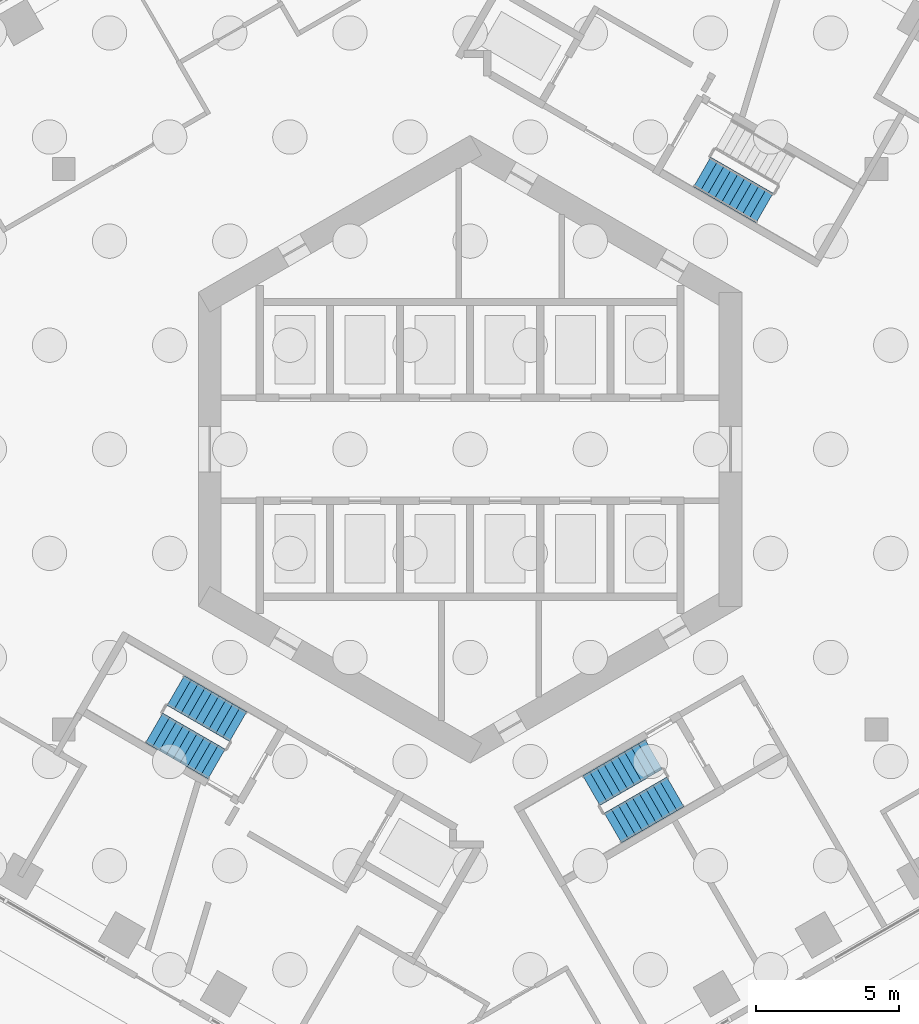
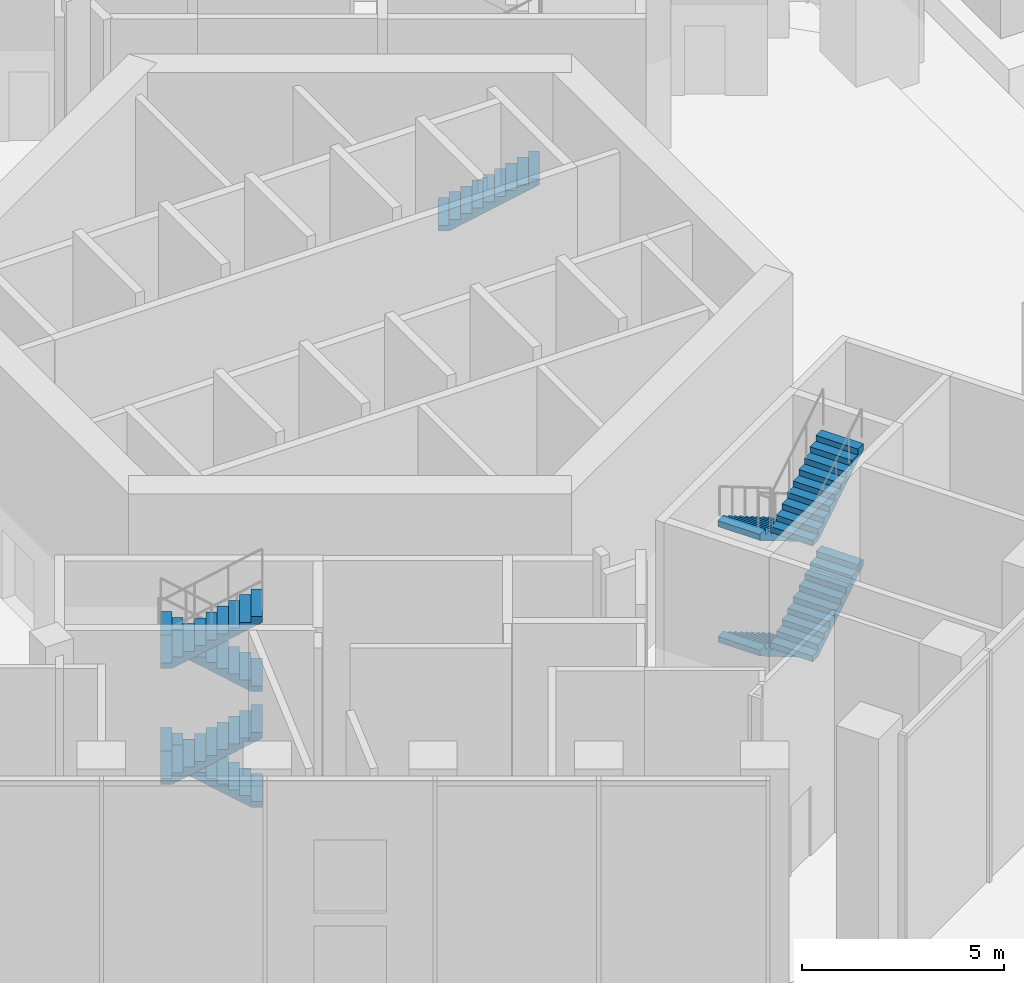
# One storey, part 13 of 18: 9 stair flights, 3 elements without a shape of their own.
"""IFC4 building model written with IfcOpenShell, lengths in metres."""

from ifc_helpers import new_model, si_unit, direction, frame, origin, place, context, subcontext, project, spatial, triangles, material, type_object, element, aggregate, save


model = new_model("IFC4")

# Units and contexts
model_context = context("Model", 3, precision=1e-05, world=origin(), true_north=direction((0.0, 1.0)))
body_context = subcontext(model_context, "Body", "Model", "MODEL_VIEW")
ifc_project = project(units=[si_unit("LENGTHUNIT", "METRE"), si_unit("AREAUNIT", "SQUARE_METRE"), si_unit("VOLUMEUNIT", "CUBIC_METRE"), si_unit("PLANEANGLEUNIT", "RADIAN"), si_unit("MASSUNIT", "GRAM", prefix="KILO")], contexts=[model_context])

# Site, building, storey
site_placement = place(None, origin())
site = spatial("IfcSite", under=ifc_project, at=site_placement, CompositionType="ELEMENT")
building_placement = place(site_placement, origin())
building = spatial("IfcBuilding", under=site, at=building_placement, Name="Ayvan Gate Tower", CompositionType="ELEMENT")
storey_placement = place(building_placement, origin())
storey = spatial("IfcBuildingStorey", under=building, at=storey_placement, Name="L00", CompositionType="ELEMENT", Elevation=0.0)

# Stair, stair flight
ifc_material = material(Name="Concrete C40/50", Category="concrete")
stair_type = type_object("IfcStairType", Name="ST-EXIT", PredefinedType="HALF_TURN_STAIR", material=ifc_material)
stair_1_placement = place(storey_placement, origin())
stair_1 = element("IfcStair", 1, at=stair_1_placement, inside=storey, type_object=stair_type, Name="L00 Exit Stair S1", PredefinedType="HALF_TURN_STAIR")
stair_flight_type = type_object("IfcStairFlightType", Name="SFL-EXIT", PredefinedType="STRAIGHT", material=ifc_material)
stair_flight_1_placement = place(storey_placement, frame((8.106201171875, 9.690185546875, 0.0), z_axis=(0.0, 0.0, 1.0), x_axis=(0.866025403784, -0.5, 0.0)))
stair_flight_1 = element("IfcStairFlight", 2, at=stair_flight_1_placement, type_object=stair_flight_type, Name="STS1 flight 1", NumberOfRisers=10, NumberOfTreads=9, PredefinedType="STRAIGHT", RiserHeight=0.175, TreadLength=0.28, context=body_context, shape_type="Tessellation", body=[
    triangles([(0.282835, -0.599976, 0.0), (2.5205, -0.599976, 1.398541), (2.5205, -0.599976, 1.575), (2.24, -0.599976, 1.575), (2.24, -0.599976, 1.4), (1.96, -0.599976, 1.4), (1.96, -0.599976, 1.225), (1.68, -0.599976, 1.225), (1.68, -0.599976, 1.05), (1.4, -0.599976, 1.05), (1.4, -0.599976, 0.875), (1.12, -0.599976, 0.875), (1.12, -0.599976, 0.7), (0.84, -0.599976, 0.7), (0.84, -0.599976, 0.525), (0.56, -0.599976, 0.525), (0.56, -0.599976, 0.35), (0.28, -0.599976, 0.35), (0.28, -0.599976, 0.175), (-0.0005, -0.599976, 0.175), (-0.0005, -0.599976, 0.0), (0.282835, 0.0, 0.0), (2.5205, 0.0, 1.398541), (2.5205, 0.0, 1.575), (2.24, 0.0, 1.575), (2.24, 0.0, 1.4), (1.96, 0.0, 1.4), (1.96, 0.0, 1.225), (1.68, 0.0, 1.225), (1.68, 0.0, 1.05), (1.4, 0.0, 1.05), (1.4, 0.0, 0.875), (1.12, 0.0, 0.875), (1.12, 0.0, 0.7), (0.84, 0.0, 0.7), (0.84, 0.0, 0.525), (0.56, 0.0, 0.525), (0.56, 0.0, 0.35), (0.28, 0.0, 0.35), (0.28, 0.0, 0.175), (-0.0005, 0.0, 0.175), (-0.0005, 0.0, 0.0), (0.282835, 0.599976, 0.0), (2.5205, 0.599976, 1.398541), (2.5205, 0.599976, 1.575), (2.24, 0.599976, 1.575), (2.24, 0.599976, 1.4), (1.96, 0.599976, 1.4), (1.96, 0.599976, 1.225), (1.68, 0.599976, 1.225), (1.68, 0.599976, 1.05), (1.4, 0.599976, 1.05), (1.4, 0.599976, 0.875), (1.12, 0.599976, 0.875), (1.12, 0.599976, 0.7), (0.84, 0.599976, 0.7), (0.84, 0.599976, 0.525), (0.56, 0.599976, 0.525), (0.56, 0.599976, 0.35), (0.28, 0.599976, 0.35), (0.28, 0.599976, 0.175), (-0.0005, 0.599976, 0.175), (-0.0005, 0.599976, 0.0)], [[21, 1, 2], [63, 44, 43], [2, 3, 4], [44, 46, 45], [2, 4, 5], [44, 47, 46], [2, 5, 6], [44, 48, 47], [2, 6, 7], [44, 49, 48], [7, 8, 9], [49, 51, 50], [2, 7, 9], [44, 51, 49], [9, 10, 11], [51, 53, 52], [2, 9, 11], [44, 53, 51], [11, 12, 13], [53, 55, 54], [2, 11, 13], [44, 55, 53], [13, 14, 15], [55, 57, 56], [2, 13, 15], [44, 57, 55], [15, 16, 17], [57, 59, 58], [2, 15, 17], [44, 59, 57], [17, 18, 19], [59, 61, 60], [2, 17, 19], [44, 61, 59], [21, 2, 19], [63, 61, 44], [19, 20, 21], [61, 63, 62], [1, 22, 23], [1, 23, 2], [43, 23, 22], [43, 44, 23], [2, 23, 24], [2, 24, 3], [44, 24, 23], [44, 45, 24], [3, 24, 25], [3, 25, 4], [45, 25, 24], [45, 46, 25], [4, 25, 26], [4, 26, 5], [46, 26, 25], [46, 47, 26], [5, 26, 27], [5, 27, 6], [47, 27, 26], [47, 48, 27], [6, 27, 28], [6, 28, 7], [48, 28, 27], [48, 49, 28], [7, 28, 29], [7, 29, 8], [49, 29, 28], [49, 50, 29], [8, 29, 30], [8, 30, 9], [50, 30, 29], [50, 51, 30], [9, 30, 31], [9, 31, 10], [51, 31, 30], [51, 52, 31], [10, 31, 32], [10, 32, 11], [52, 32, 31], [52, 53, 32], [11, 32, 33], [11, 33, 12], [53, 33, 32], [53, 54, 33], [12, 33, 34], [12, 34, 13], [54, 34, 33], [54, 55, 34], [13, 34, 35], [13, 35, 14], [55, 35, 34], [55, 56, 35], [14, 35, 36], [14, 36, 15], [56, 36, 35], [56, 57, 36], [15, 36, 37], [15, 37, 16], [57, 37, 36], [57, 58, 37], [16, 37, 38], [16, 38, 17], [58, 38, 37], [58, 59, 38], [17, 38, 39], [17, 39, 18], [59, 39, 38], [59, 60, 39], [18, 39, 40], [18, 40, 19], [60, 40, 39], [60, 61, 40], [19, 40, 41], [19, 41, 20], [61, 41, 40], [61, 62, 41], [20, 41, 42], [20, 42, 21], [62, 42, 41], [62, 63, 42], [21, 42, 22], [21, 22, 1], [63, 22, 42], [63, 43, 22]], closed=True),
])
aggregate(stair_1, [stair_flight_1])

# Stair, stair flights
stair_2_placement = place(storey_placement, origin())
stair_2 = element("IfcStair", 3, at=stair_2_placement, inside=storey, type_object=stair_type, Name="L00 Exit Stair S2", PredefinedType="HALF_TURN_STAIR")
stair_flight_2_placement = place(storey_placement, frame((-8.106201171875, -9.690185546875, 0.0), z_axis=(0.0, 0.0, 1.0), x_axis=(-0.866025403784, 0.5, 0.0)))
stair_flight_2 = element("IfcStairFlight", 4, at=stair_flight_2_placement, type_object=stair_flight_type, Name="STS2 flight 1", NumberOfRisers=10, NumberOfTreads=9, PredefinedType="STRAIGHT", RiserHeight=0.175, TreadLength=0.28, context=body_context, shape_type="Tessellation", body=[
    triangles([(0.282835, -0.599976, 0.0), (2.5205, -0.599976, 1.398541), (2.5205, -0.599976, 1.575), (2.24, -0.599976, 1.575), (2.24, -0.599976, 1.4), (1.96, -0.599976, 1.4), (1.96, -0.599976, 1.225), (1.68, -0.599976, 1.225), (1.68, -0.599976, 1.05), (1.4, -0.599976, 1.05), (1.4, -0.599976, 0.875), (1.12, -0.599976, 0.875), (1.12, -0.599976, 0.7), (0.84, -0.599976, 0.7), (0.84, -0.599976, 0.525), (0.56, -0.599976, 0.525), (0.56, -0.599976, 0.35), (0.28, -0.599976, 0.35), (0.28, -0.599976, 0.175), (-0.0005, -0.599976, 0.175), (-0.0005, -0.599976, 0.0), (0.282835, 0.0, 0.0), (2.5205, 0.0, 1.398541), (2.5205, 0.0, 1.575), (2.24, 0.0, 1.575), (2.24, 0.0, 1.4), (1.96, 0.0, 1.4), (1.96, 0.0, 1.225), (1.68, 0.0, 1.225), (1.68, 0.0, 1.05), (1.4, 0.0, 1.05), (1.4, 0.0, 0.875), (1.12, 0.0, 0.875), (1.12, 0.0, 0.7), (0.84, 0.0, 0.7), (0.84, 0.0, 0.525), (0.56, 0.0, 0.525), (0.56, 0.0, 0.35), (0.28, 0.0, 0.35), (0.28, 0.0, 0.175), (-0.0005, 0.0, 0.175), (-0.0005, 0.0, 0.0), (0.282835, 0.599976, 0.0), (2.5205, 0.599976, 1.398541), (2.5205, 0.599976, 1.575), (2.24, 0.599976, 1.575), (2.24, 0.599976, 1.4), (1.96, 0.599976, 1.4), (1.96, 0.599976, 1.225), (1.68, 0.599976, 1.225), (1.68, 0.599976, 1.05), (1.4, 0.599976, 1.05), (1.4, 0.599976, 0.875), (1.12, 0.599976, 0.875), (1.12, 0.599976, 0.7), (0.84, 0.599976, 0.7), (0.84, 0.599976, 0.525), (0.56, 0.599976, 0.525), (0.56, 0.599976, 0.35), (0.28, 0.599976, 0.35), (0.28, 0.599976, 0.175), (-0.0005, 0.599976, 0.175), (-0.0005, 0.599976, 0.0)], [[21, 1, 2], [63, 44, 43], [2, 3, 4], [44, 46, 45], [2, 4, 5], [44, 47, 46], [2, 5, 6], [44, 48, 47], [2, 6, 7], [44, 49, 48], [7, 8, 9], [49, 51, 50], [2, 7, 9], [44, 51, 49], [9, 10, 11], [51, 53, 52], [2, 9, 11], [44, 53, 51], [11, 12, 13], [53, 55, 54], [2, 11, 13], [44, 55, 53], [13, 14, 15], [55, 57, 56], [2, 13, 15], [44, 57, 55], [15, 16, 17], [57, 59, 58], [2, 15, 17], [44, 59, 57], [17, 18, 19], [59, 61, 60], [2, 17, 19], [44, 61, 59], [21, 2, 19], [63, 61, 44], [19, 20, 21], [61, 63, 62], [1, 22, 23], [1, 23, 2], [43, 23, 22], [43, 44, 23], [2, 23, 24], [2, 24, 3], [44, 24, 23], [44, 45, 24], [3, 24, 25], [3, 25, 4], [45, 25, 24], [45, 46, 25], [4, 25, 26], [4, 26, 5], [46, 26, 25], [46, 47, 26], [5, 26, 27], [5, 27, 6], [47, 27, 26], [47, 48, 27], [6, 27, 28], [6, 28, 7], [48, 28, 27], [48, 49, 28], [7, 28, 29], [7, 29, 8], [49, 29, 28], [49, 50, 29], [8, 29, 30], [8, 30, 9], [50, 30, 29], [50, 51, 30], [9, 30, 31], [9, 31, 10], [51, 31, 30], [51, 52, 31], [10, 31, 32], [10, 32, 11], [52, 32, 31], [52, 53, 32], [11, 32, 33], [11, 33, 12], [53, 33, 32], [53, 54, 33], [12, 33, 34], [12, 34, 13], [54, 34, 33], [54, 55, 34], [13, 34, 35], [13, 35, 14], [55, 35, 34], [55, 56, 35], [14, 35, 36], [14, 36, 15], [56, 36, 35], [56, 57, 36], [15, 36, 37], [15, 37, 16], [57, 37, 36], [57, 58, 37], [16, 37, 38], [16, 38, 17], [58, 38, 37], [58, 59, 38], [17, 38, 39], [17, 39, 18], [59, 39, 38], [59, 60, 39], [18, 39, 40], [18, 40, 19], [60, 40, 39], [60, 61, 40], [19, 40, 41], [19, 41, 20], [61, 41, 40], [61, 62, 41], [20, 41, 42], [20, 42, 21], [62, 42, 41], [62, 63, 42], [21, 42, 22], [21, 22, 1], [63, 22, 42], [63, 43, 22]], closed=True),
])
stair_flight_3_placement = place(storey_placement, frame((-11.04345703125, -9.73779296875, 1.75), z_axis=(0.0, 0.0, 1.0), x_axis=(0.866025403784, -0.5, 0.0)))
stair_flight_3 = element("IfcStairFlight", 5, at=stair_flight_3_placement, type_object=stair_flight_type, Name="STS2 flight 2", NumberOfRisers=10, NumberOfTreads=9, PredefinedType="STRAIGHT", RiserHeight=0.175, TreadLength=0.28, context=body_context, shape_type="Tessellation", body=[
    triangles([(0.282835, -0.599976, 0.0), (2.5205, -0.599976, 1.398541), (2.5205, -0.599976, 1.575), (2.24, -0.599976, 1.575), (2.24, -0.599976, 1.4), (1.96, -0.599976, 1.4), (1.96, -0.599976, 1.225), (1.68, -0.599976, 1.225), (1.68, -0.599976, 1.05), (1.4, -0.599976, 1.05), (1.4, -0.599976, 0.875), (1.12, -0.599976, 0.875), (1.12, -0.599976, 0.7), (0.84, -0.599976, 0.7), (0.84, -0.599976, 0.525), (0.56, -0.599976, 0.525), (0.56, -0.599976, 0.35), (0.28, -0.599976, 0.35), (0.28, -0.599976, 0.175), (-0.0005, -0.599976, 0.175), (-0.0005, -0.599976, 0.0), (0.282835, 0.0, 0.0), (2.5205, 0.0, 1.398541), (2.5205, 0.0, 1.575), (2.24, 0.0, 1.575), (2.24, 0.0, 1.4), (1.96, 0.0, 1.4), (1.96, 0.0, 1.225), (1.68, 0.0, 1.225), (1.68, 0.0, 1.05), (1.4, 0.0, 1.05), (1.4, 0.0, 0.875), (1.12, 0.0, 0.875), (1.12, 0.0, 0.7), (0.84, 0.0, 0.7), (0.84, 0.0, 0.525), (0.56, 0.0, 0.525), (0.56, 0.0, 0.35), (0.28, 0.0, 0.35), (0.28, 0.0, 0.175), (-0.0005, 0.0, 0.175), (-0.0005, 0.0, 0.0), (0.282835, 0.599976, 0.0), (2.5205, 0.599976, 1.398541), (2.5205, 0.599976, 1.575), (2.24, 0.599976, 1.575), (2.24, 0.599976, 1.4), (1.96, 0.599976, 1.4), (1.96, 0.599976, 1.225), (1.68, 0.599976, 1.225), (1.68, 0.599976, 1.05), (1.4, 0.599976, 1.05), (1.4, 0.599976, 0.875), (1.12, 0.599976, 0.875), (1.12, 0.599976, 0.7), (0.84, 0.599976, 0.7), (0.84, 0.599976, 0.525), (0.56, 0.599976, 0.525), (0.56, 0.599976, 0.35), (0.28, 0.599976, 0.35), (0.28, 0.599976, 0.175), (-0.0005, 0.599976, 0.175), (-0.0005, 0.599976, 0.0)], [[21, 1, 2], [63, 44, 43], [2, 3, 4], [44, 46, 45], [2, 4, 5], [44, 47, 46], [2, 5, 6], [44, 48, 47], [2, 6, 7], [44, 49, 48], [7, 8, 9], [49, 51, 50], [2, 7, 9], [44, 51, 49], [9, 10, 11], [51, 53, 52], [2, 9, 11], [44, 53, 51], [11, 12, 13], [53, 55, 54], [2, 11, 13], [44, 55, 53], [13, 14, 15], [55, 57, 56], [2, 13, 15], [44, 57, 55], [15, 16, 17], [57, 59, 58], [2, 15, 17], [44, 59, 57], [17, 18, 19], [59, 61, 60], [2, 17, 19], [44, 61, 59], [21, 2, 19], [63, 61, 44], [19, 20, 21], [61, 63, 62], [1, 22, 23], [1, 23, 2], [43, 23, 22], [43, 44, 23], [2, 23, 24], [2, 24, 3], [44, 24, 23], [44, 45, 24], [3, 24, 25], [3, 25, 4], [45, 25, 24], [45, 46, 25], [4, 25, 26], [4, 26, 5], [46, 26, 25], [46, 47, 26], [5, 26, 27], [5, 27, 6], [47, 27, 26], [47, 48, 27], [6, 27, 28], [6, 28, 7], [48, 28, 27], [48, 49, 28], [7, 28, 29], [7, 29, 8], [49, 29, 28], [49, 50, 29], [8, 29, 30], [8, 30, 9], [50, 30, 29], [50, 51, 30], [9, 30, 31], [9, 31, 10], [51, 31, 30], [51, 52, 31], [10, 31, 32], [10, 32, 11], [52, 32, 31], [52, 53, 32], [11, 32, 33], [11, 33, 12], [53, 33, 32], [53, 54, 33], [12, 33, 34], [12, 34, 13], [54, 34, 33], [54, 55, 34], [13, 34, 35], [13, 35, 14], [55, 35, 34], [55, 56, 35], [14, 35, 36], [14, 36, 15], [56, 36, 35], [56, 57, 36], [15, 36, 37], [15, 37, 16], [57, 37, 36], [57, 58, 37], [16, 37, 38], [16, 38, 17], [58, 38, 37], [58, 59, 38], [17, 38, 39], [17, 39, 18], [59, 39, 38], [59, 60, 39], [18, 39, 40], [18, 40, 19], [60, 40, 39], [60, 61, 40], [19, 40, 41], [19, 41, 20], [61, 41, 40], [61, 62, 41], [20, 41, 42], [20, 42, 21], [62, 42, 41], [62, 63, 42], [21, 42, 22], [21, 22, 1], [63, 22, 42], [63, 43, 22]], closed=True),
])
stair_flight_4_placement = place(storey_placement, frame((-8.106201171875, -9.690185546875, 3.5), z_axis=(0.0, 0.0, 1.0), x_axis=(-0.866025403784, 0.5, 0.0)))
stair_flight_4 = element("IfcStairFlight", 6, at=stair_flight_4_placement, type_object=stair_flight_type, Name="STS2 flight 3", NumberOfRisers=10, NumberOfTreads=9, PredefinedType="STRAIGHT", RiserHeight=0.175, TreadLength=0.28, context=body_context, shape_type="Tessellation", body=[
    triangles([(0.282835, -0.599976, 0.0), (2.5205, -0.599976, 1.398541), (2.5205, -0.599976, 1.575), (2.24, -0.599976, 1.575), (2.24, -0.599976, 1.4), (1.96, -0.599976, 1.4), (1.96, -0.599976, 1.225), (1.68, -0.599976, 1.225), (1.68, -0.599976, 1.05), (1.4, -0.599976, 1.05), (1.4, -0.599976, 0.875), (1.12, -0.599976, 0.875), (1.12, -0.599976, 0.7), (0.84, -0.599976, 0.7), (0.84, -0.599976, 0.525), (0.56, -0.599976, 0.525), (0.56, -0.599976, 0.35), (0.28, -0.599976, 0.35), (0.28, -0.599976, 0.175), (-0.0005, -0.599976, 0.175), (-0.0005, -0.599976, 0.0), (0.282835, 0.0, 0.0), (2.5205, 0.0, 1.398541), (2.5205, 0.0, 1.575), (2.24, 0.0, 1.575), (2.24, 0.0, 1.4), (1.96, 0.0, 1.4), (1.96, 0.0, 1.225), (1.68, 0.0, 1.225), (1.68, 0.0, 1.05), (1.4, 0.0, 1.05), (1.4, 0.0, 0.875), (1.12, 0.0, 0.875), (1.12, 0.0, 0.7), (0.84, 0.0, 0.7), (0.84, 0.0, 0.525), (0.56, 0.0, 0.525), (0.56, 0.0, 0.35), (0.28, 0.0, 0.35), (0.28, 0.0, 0.175), (-0.0005, 0.0, 0.175), (-0.0005, 0.0, 0.0), (0.282835, 0.599976, 0.0), (2.5205, 0.599976, 1.398541), (2.5205, 0.599976, 1.575), (2.24, 0.599976, 1.575), (2.24, 0.599976, 1.4), (1.96, 0.599976, 1.4), (1.96, 0.599976, 1.225), (1.68, 0.599976, 1.225), (1.68, 0.599976, 1.05), (1.4, 0.599976, 1.05), (1.4, 0.599976, 0.875), (1.12, 0.599976, 0.875), (1.12, 0.599976, 0.7), (0.84, 0.599976, 0.7), (0.84, 0.599976, 0.525), (0.56, 0.599976, 0.525), (0.56, 0.599976, 0.35), (0.28, 0.599976, 0.35), (0.28, 0.599976, 0.175), (-0.0005, 0.599976, 0.175), (-0.0005, 0.599976, 0.0)], [[21, 1, 2], [63, 44, 43], [2, 3, 4], [44, 46, 45], [2, 4, 5], [44, 47, 46], [2, 5, 6], [44, 48, 47], [2, 6, 7], [44, 49, 48], [7, 8, 9], [49, 51, 50], [2, 7, 9], [44, 51, 49], [9, 10, 11], [51, 53, 52], [2, 9, 11], [44, 53, 51], [11, 12, 13], [53, 55, 54], [2, 11, 13], [44, 55, 53], [13, 14, 15], [55, 57, 56], [2, 13, 15], [44, 57, 55], [15, 16, 17], [57, 59, 58], [2, 15, 17], [44, 59, 57], [17, 18, 19], [59, 61, 60], [2, 17, 19], [44, 61, 59], [21, 2, 19], [63, 61, 44], [19, 20, 21], [61, 63, 62], [1, 22, 23], [1, 23, 2], [43, 23, 22], [43, 44, 23], [2, 23, 24], [2, 24, 3], [44, 24, 23], [44, 45, 24], [3, 24, 25], [3, 25, 4], [45, 25, 24], [45, 46, 25], [4, 25, 26], [4, 26, 5], [46, 26, 25], [46, 47, 26], [5, 26, 27], [5, 27, 6], [47, 27, 26], [47, 48, 27], [6, 27, 28], [6, 28, 7], [48, 28, 27], [48, 49, 28], [7, 28, 29], [7, 29, 8], [49, 29, 28], [49, 50, 29], [8, 29, 30], [8, 30, 9], [50, 30, 29], [50, 51, 30], [9, 30, 31], [9, 31, 10], [51, 31, 30], [51, 52, 31], [10, 31, 32], [10, 32, 11], [52, 32, 31], [52, 53, 32], [11, 32, 33], [11, 33, 12], [53, 33, 32], [53, 54, 33], [12, 33, 34], [12, 34, 13], [54, 34, 33], [54, 55, 34], [13, 34, 35], [13, 35, 14], [55, 35, 34], [55, 56, 35], [14, 35, 36], [14, 36, 15], [56, 36, 35], [56, 57, 36], [15, 36, 37], [15, 37, 16], [57, 37, 36], [57, 58, 37], [16, 37, 38], [16, 38, 17], [58, 38, 37], [58, 59, 38], [17, 38, 39], [17, 39, 18], [59, 39, 38], [59, 60, 39], [18, 39, 40], [18, 40, 19], [60, 40, 39], [60, 61, 40], [19, 40, 41], [19, 41, 20], [61, 41, 40], [61, 62, 41], [20, 41, 42], [20, 42, 21], [62, 42, 41], [62, 63, 42], [21, 42, 22], [21, 22, 1], [63, 22, 42], [63, 43, 22]], closed=True),
])
stair_flight_5_placement = place(storey_placement, frame((-11.04345703125, -9.73779296875, 5.25), z_axis=(0.0, 0.0, 1.0), x_axis=(0.866025403784, -0.5, 0.0)))
stair_flight_5 = element("IfcStairFlight", 7, at=stair_flight_5_placement, type_object=stair_flight_type, Name="STS2 flight 4", NumberOfRisers=10, NumberOfTreads=9, PredefinedType="STRAIGHT", RiserHeight=0.175, TreadLength=0.28, context=body_context, shape_type="Tessellation", body=[
    triangles([(0.282835, -0.599976, 0.0), (2.5205, -0.599976, 1.398541), (2.5205, -0.599976, 1.575), (2.24, -0.599976, 1.575), (2.24, -0.599976, 1.4), (1.96, -0.599976, 1.4), (1.96, -0.599976, 1.225), (1.68, -0.599976, 1.225), (1.68, -0.599976, 1.05), (1.4, -0.599976, 1.05), (1.4, -0.599976, 0.875), (1.12, -0.599976, 0.875), (1.12, -0.599976, 0.7), (0.84, -0.599976, 0.7), (0.84, -0.599976, 0.525), (0.56, -0.599976, 0.525), (0.56, -0.599976, 0.35), (0.28, -0.599976, 0.35), (0.28, -0.599976, 0.175), (-0.0005, -0.599976, 0.175), (-0.0005, -0.599976, 0.0), (0.282835, 0.0, 0.0), (2.5205, 0.0, 1.398541), (2.5205, 0.0, 1.575), (2.24, 0.0, 1.575), (2.24, 0.0, 1.4), (1.96, 0.0, 1.4), (1.96, 0.0, 1.225), (1.68, 0.0, 1.225), (1.68, 0.0, 1.05), (1.4, 0.0, 1.05), (1.4, 0.0, 0.875), (1.12, 0.0, 0.875), (1.12, 0.0, 0.7), (0.84, 0.0, 0.7), (0.84, 0.0, 0.525), (0.56, 0.0, 0.525), (0.56, 0.0, 0.35), (0.28, 0.0, 0.35), (0.28, 0.0, 0.175), (-0.0005, 0.0, 0.175), (-0.0005, 0.0, 0.0), (0.282835, 0.599976, 0.0), (2.5205, 0.599976, 1.398541), (2.5205, 0.599976, 1.575), (2.24, 0.599976, 1.575), (2.24, 0.599976, 1.4), (1.96, 0.599976, 1.4), (1.96, 0.599976, 1.225), (1.68, 0.599976, 1.225), (1.68, 0.599976, 1.05), (1.4, 0.599976, 1.05), (1.4, 0.599976, 0.875), (1.12, 0.599976, 0.875), (1.12, 0.599976, 0.7), (0.84, 0.599976, 0.7), (0.84, 0.599976, 0.525), (0.56, 0.599976, 0.525), (0.56, 0.599976, 0.35), (0.28, 0.599976, 0.35), (0.28, 0.599976, 0.175), (-0.0005, 0.599976, 0.175), (-0.0005, 0.599976, 0.0)], [[21, 1, 2], [63, 44, 43], [2, 3, 4], [44, 46, 45], [2, 4, 5], [44, 47, 46], [2, 5, 6], [44, 48, 47], [2, 6, 7], [44, 49, 48], [7, 8, 9], [49, 51, 50], [2, 7, 9], [44, 51, 49], [9, 10, 11], [51, 53, 52], [2, 9, 11], [44, 53, 51], [11, 12, 13], [53, 55, 54], [2, 11, 13], [44, 55, 53], [13, 14, 15], [55, 57, 56], [2, 13, 15], [44, 57, 55], [15, 16, 17], [57, 59, 58], [2, 15, 17], [44, 59, 57], [17, 18, 19], [59, 61, 60], [2, 17, 19], [44, 61, 59], [21, 2, 19], [63, 61, 44], [19, 20, 21], [61, 63, 62], [1, 22, 23], [1, 23, 2], [43, 23, 22], [43, 44, 23], [2, 23, 24], [2, 24, 3], [44, 24, 23], [44, 45, 24], [3, 24, 25], [3, 25, 4], [45, 25, 24], [45, 46, 25], [4, 25, 26], [4, 26, 5], [46, 26, 25], [46, 47, 26], [5, 26, 27], [5, 27, 6], [47, 27, 26], [47, 48, 27], [6, 27, 28], [6, 28, 7], [48, 28, 27], [48, 49, 28], [7, 28, 29], [7, 29, 8], [49, 29, 28], [49, 50, 29], [8, 29, 30], [8, 30, 9], [50, 30, 29], [50, 51, 30], [9, 30, 31], [9, 31, 10], [51, 31, 30], [51, 52, 31], [10, 31, 32], [10, 32, 11], [52, 32, 31], [52, 53, 32], [11, 32, 33], [11, 33, 12], [53, 33, 32], [53, 54, 33], [12, 33, 34], [12, 34, 13], [54, 34, 33], [54, 55, 34], [13, 34, 35], [13, 35, 14], [55, 35, 34], [55, 56, 35], [14, 35, 36], [14, 36, 15], [56, 36, 35], [56, 57, 36], [15, 36, 37], [15, 37, 16], [57, 37, 36], [57, 58, 37], [16, 37, 38], [16, 38, 17], [58, 38, 37], [58, 59, 38], [17, 38, 39], [17, 39, 18], [59, 39, 38], [59, 60, 39], [18, 39, 40], [18, 40, 19], [60, 40, 39], [60, 61, 40], [19, 40, 41], [19, 41, 20], [61, 41, 40], [61, 62, 41], [20, 41, 42], [20, 42, 21], [62, 42, 41], [62, 63, 42], [21, 42, 22], [21, 22, 1], [63, 22, 42], [63, 43, 22]], closed=True),
])
aggregate(stair_2, [stair_flight_2, stair_flight_3, stair_flight_4, stair_flight_5])

stair_3_placement = place(storey_placement, origin())
stair_3 = element("IfcStair", 8, at=stair_3_placement, inside=storey, type_object=stair_type, Name="L00 Exit Stair S3", PredefinedType="HALF_TURN_STAIR")
stair_flight_6_placement = place(storey_placement, frame((6.417236328125, -10.665283203125, 0.0), z_axis=(0.0, 0.0, 1.0), x_axis=(-0.866025403784, -0.5, 0.0)))
stair_flight_6 = element("IfcStairFlight", 9, at=stair_flight_6_placement, type_object=stair_flight_type, Name="STS3 flight 1", NumberOfRisers=10, NumberOfTreads=9, PredefinedType="STRAIGHT", RiserHeight=0.175, TreadLength=0.28, context=body_context, shape_type="Tessellation", body=[
    triangles([(0.282835, -0.599976, 0.0), (2.5205, -0.599976, 1.398541), (2.5205, -0.599976, 1.575), (2.24, -0.599976, 1.575), (2.24, -0.599976, 1.4), (1.96, -0.599976, 1.4), (1.96, -0.599976, 1.225), (1.68, -0.599976, 1.225), (1.68, -0.599976, 1.05), (1.4, -0.599976, 1.05), (1.4, -0.599976, 0.875), (1.12, -0.599976, 0.875), (1.12, -0.599976, 0.7), (0.84, -0.599976, 0.7), (0.84, -0.599976, 0.525), (0.56, -0.599976, 0.525), (0.56, -0.599976, 0.35), (0.28, -0.599976, 0.35), (0.28, -0.599976, 0.175), (-0.0005, -0.599976, 0.175), (-0.0005, -0.599976, 0.0), (0.282835, 0.0, 0.0), (2.5205, 0.0, 1.398541), (2.5205, 0.0, 1.575), (2.24, 0.0, 1.575), (2.24, 0.0, 1.4), (1.96, 0.0, 1.4), (1.96, 0.0, 1.225), (1.68, 0.0, 1.225), (1.68, 0.0, 1.05), (1.4, 0.0, 1.05), (1.4, 0.0, 0.875), (1.12, 0.0, 0.875), (1.12, 0.0, 0.7), (0.84, 0.0, 0.7), (0.84, 0.0, 0.525), (0.56, 0.0, 0.525), (0.56, 0.0, 0.35), (0.28, 0.0, 0.35), (0.28, 0.0, 0.175), (-0.0005, 0.0, 0.175), (-0.0005, 0.0, 0.0), (0.282835, 0.599976, 0.0), (2.5205, 0.599976, 1.398541), (2.5205, 0.599976, 1.575), (2.24, 0.599976, 1.575), (2.24, 0.599976, 1.4), (1.96, 0.599976, 1.4), (1.96, 0.599976, 1.225), (1.68, 0.599976, 1.225), (1.68, 0.599976, 1.05), (1.4, 0.599976, 1.05), (1.4, 0.599976, 0.875), (1.12, 0.599976, 0.875), (1.12, 0.599976, 0.7), (0.84, 0.599976, 0.7), (0.84, 0.599976, 0.525), (0.56, 0.599976, 0.525), (0.56, 0.599976, 0.35), (0.28, 0.599976, 0.35), (0.28, 0.599976, 0.175), (-0.0005, 0.599976, 0.175), (-0.0005, 0.599976, 0.0)], [[21, 1, 2], [63, 44, 43], [2, 3, 4], [44, 46, 45], [2, 4, 5], [44, 47, 46], [2, 5, 6], [44, 48, 47], [2, 6, 7], [44, 49, 48], [7, 8, 9], [49, 51, 50], [2, 7, 9], [44, 51, 49], [9, 10, 11], [51, 53, 52], [2, 9, 11], [44, 53, 51], [11, 12, 13], [53, 55, 54], [2, 11, 13], [44, 55, 53], [13, 14, 15], [55, 57, 56], [2, 13, 15], [44, 57, 55], [15, 16, 17], [57, 59, 58], [2, 15, 17], [44, 59, 57], [17, 18, 19], [59, 61, 60], [2, 17, 19], [44, 61, 59], [21, 2, 19], [63, 61, 44], [19, 20, 21], [61, 63, 62], [1, 22, 23], [1, 23, 2], [43, 23, 22], [43, 44, 23], [2, 23, 24], [2, 24, 3], [44, 24, 23], [44, 45, 24], [3, 24, 25], [3, 25, 4], [45, 25, 24], [45, 46, 25], [4, 25, 26], [4, 26, 5], [46, 26, 25], [46, 47, 26], [5, 26, 27], [5, 27, 6], [47, 27, 26], [47, 48, 27], [6, 27, 28], [6, 28, 7], [48, 28, 27], [48, 49, 28], [7, 28, 29], [7, 29, 8], [49, 29, 28], [49, 50, 29], [8, 29, 30], [8, 30, 9], [50, 30, 29], [50, 51, 30], [9, 30, 31], [9, 31, 10], [51, 31, 30], [51, 52, 31], [10, 31, 32], [10, 32, 11], [52, 32, 31], [52, 53, 32], [11, 32, 33], [11, 33, 12], [53, 33, 32], [53, 54, 33], [12, 33, 34], [12, 34, 13], [54, 34, 33], [54, 55, 34], [13, 34, 35], [13, 35, 14], [55, 35, 34], [55, 56, 35], [14, 35, 36], [14, 36, 15], [56, 36, 35], [56, 57, 36], [15, 36, 37], [15, 37, 16], [57, 37, 36], [57, 58, 37], [16, 37, 38], [16, 38, 17], [58, 38, 37], [58, 59, 38], [17, 38, 39], [17, 39, 18], [59, 39, 38], [59, 60, 39], [18, 39, 40], [18, 40, 19], [60, 40, 39], [60, 61, 40], [19, 40, 41], [19, 41, 20], [61, 41, 40], [61, 62, 41], [20, 41, 42], [20, 42, 21], [62, 42, 41], [62, 63, 42], [21, 42, 22], [21, 22, 1], [63, 22, 42], [63, 43, 22]], closed=True),
])
stair_flight_7_placement = place(storey_placement, frame((4.989990234375, -13.23291015625, 1.75), z_axis=(0.0, 0.0, 1.0), x_axis=(0.866025403784, 0.5, 0.0)))
stair_flight_7 = element("IfcStairFlight", 10, at=stair_flight_7_placement, type_object=stair_flight_type, Name="STS3 flight 2", NumberOfRisers=10, NumberOfTreads=9, PredefinedType="STRAIGHT", RiserHeight=0.175, TreadLength=0.28, context=body_context, shape_type="Tessellation", body=[
    triangles([(0.282835, -0.599976, 0.0), (2.5205, -0.599976, 1.398541), (2.5205, -0.599976, 1.575), (2.24, -0.599976, 1.575), (2.24, -0.599976, 1.4), (1.96, -0.599976, 1.4), (1.96, -0.599976, 1.225), (1.68, -0.599976, 1.225), (1.68, -0.599976, 1.05), (1.4, -0.599976, 1.05), (1.4, -0.599976, 0.875), (1.12, -0.599976, 0.875), (1.12, -0.599976, 0.7), (0.84, -0.599976, 0.7), (0.84, -0.599976, 0.525), (0.56, -0.599976, 0.525), (0.56, -0.599976, 0.35), (0.28, -0.599976, 0.35), (0.28, -0.599976, 0.175), (-0.0005, -0.599976, 0.175), (-0.0005, -0.599976, 0.0), (0.282835, 0.0, 0.0), (2.5205, 0.0, 1.398541), (2.5205, 0.0, 1.575), (2.24, 0.0, 1.575), (2.24, 0.0, 1.4), (1.96, 0.0, 1.4), (1.96, 0.0, 1.225), (1.68, 0.0, 1.225), (1.68, 0.0, 1.05), (1.4, 0.0, 1.05), (1.4, 0.0, 0.875), (1.12, 0.0, 0.875), (1.12, 0.0, 0.7), (0.84, 0.0, 0.7), (0.84, 0.0, 0.525), (0.56, 0.0, 0.525), (0.56, 0.0, 0.35), (0.28, 0.0, 0.35), (0.28, 0.0, 0.175), (-0.0005, 0.0, 0.175), (-0.0005, 0.0, 0.0), (0.282835, 0.599976, 0.0), (2.5205, 0.599976, 1.398541), (2.5205, 0.599976, 1.575), (2.24, 0.599976, 1.575), (2.24, 0.599976, 1.4), (1.96, 0.599976, 1.4), (1.96, 0.599976, 1.225), (1.68, 0.599976, 1.225), (1.68, 0.599976, 1.05), (1.4, 0.599976, 1.05), (1.4, 0.599976, 0.875), (1.12, 0.599976, 0.875), (1.12, 0.599976, 0.7), (0.84, 0.599976, 0.7), (0.84, 0.599976, 0.525), (0.56, 0.599976, 0.525), (0.56, 0.599976, 0.35), (0.28, 0.599976, 0.35), (0.28, 0.599976, 0.175), (-0.0005, 0.599976, 0.175), (-0.0005, 0.599976, 0.0)], [[21, 1, 2], [63, 44, 43], [2, 3, 4], [44, 46, 45], [2, 4, 5], [44, 47, 46], [2, 5, 6], [44, 48, 47], [2, 6, 7], [44, 49, 48], [7, 8, 9], [49, 51, 50], [2, 7, 9], [44, 51, 49], [9, 10, 11], [51, 53, 52], [2, 9, 11], [44, 53, 51], [11, 12, 13], [53, 55, 54], [2, 11, 13], [44, 55, 53], [13, 14, 15], [55, 57, 56], [2, 13, 15], [44, 57, 55], [15, 16, 17], [57, 59, 58], [2, 15, 17], [44, 59, 57], [17, 18, 19], [59, 61, 60], [2, 17, 19], [44, 61, 59], [21, 2, 19], [63, 61, 44], [19, 20, 21], [61, 63, 62], [1, 22, 23], [1, 23, 2], [43, 23, 22], [43, 44, 23], [2, 23, 24], [2, 24, 3], [44, 24, 23], [44, 45, 24], [3, 24, 25], [3, 25, 4], [45, 25, 24], [45, 46, 25], [4, 25, 26], [4, 26, 5], [46, 26, 25], [46, 47, 26], [5, 26, 27], [5, 27, 6], [47, 27, 26], [47, 48, 27], [6, 27, 28], [6, 28, 7], [48, 28, 27], [48, 49, 28], [7, 28, 29], [7, 29, 8], [49, 29, 28], [49, 50, 29], [8, 29, 30], [8, 30, 9], [50, 30, 29], [50, 51, 30], [9, 30, 31], [9, 31, 10], [51, 31, 30], [51, 52, 31], [10, 31, 32], [10, 32, 11], [52, 32, 31], [52, 53, 32], [11, 32, 33], [11, 33, 12], [53, 33, 32], [53, 54, 33], [12, 33, 34], [12, 34, 13], [54, 34, 33], [54, 55, 34], [13, 34, 35], [13, 35, 14], [55, 35, 34], [55, 56, 35], [14, 35, 36], [14, 36, 15], [56, 36, 35], [56, 57, 36], [15, 36, 37], [15, 37, 16], [57, 37, 36], [57, 58, 37], [16, 37, 38], [16, 38, 17], [58, 38, 37], [58, 59, 38], [17, 38, 39], [17, 39, 18], [59, 39, 38], [59, 60, 39], [18, 39, 40], [18, 40, 19], [60, 40, 39], [60, 61, 40], [19, 40, 41], [19, 41, 20], [61, 41, 40], [61, 62, 41], [20, 41, 42], [20, 42, 21], [62, 42, 41], [62, 63, 42], [21, 42, 22], [21, 22, 1], [63, 22, 42], [63, 43, 22]], closed=True),
])
stair_flight_8_placement = place(storey_placement, frame((6.417236328125, -10.665283203125, 3.5), z_axis=(0.0, 0.0, 1.0), x_axis=(-0.866025403784, -0.5, 0.0)))
stair_flight_8 = element("IfcStairFlight", 11, at=stair_flight_8_placement, type_object=stair_flight_type, Name="STS3 flight 3", NumberOfRisers=10, NumberOfTreads=9, PredefinedType="STRAIGHT", RiserHeight=0.175, TreadLength=0.28, context=body_context, shape_type="Tessellation", body=[
    triangles([(0.282835, -0.599976, 0.0), (2.5205, -0.599976, 1.398541), (2.5205, -0.599976, 1.575), (2.24, -0.599976, 1.575), (2.24, -0.599976, 1.4), (1.96, -0.599976, 1.4), (1.96, -0.599976, 1.225), (1.68, -0.599976, 1.225), (1.68, -0.599976, 1.05), (1.4, -0.599976, 1.05), (1.4, -0.599976, 0.875), (1.12, -0.599976, 0.875), (1.12, -0.599976, 0.7), (0.84, -0.599976, 0.7), (0.84, -0.599976, 0.525), (0.56, -0.599976, 0.525), (0.56, -0.599976, 0.35), (0.28, -0.599976, 0.35), (0.28, -0.599976, 0.175), (-0.0005, -0.599976, 0.175), (-0.0005, -0.599976, 0.0), (0.282835, 0.0, 0.0), (2.5205, 0.0, 1.398541), (2.5205, 0.0, 1.575), (2.24, 0.0, 1.575), (2.24, 0.0, 1.4), (1.96, 0.0, 1.4), (1.96, 0.0, 1.225), (1.68, 0.0, 1.225), (1.68, 0.0, 1.05), (1.4, 0.0, 1.05), (1.4, 0.0, 0.875), (1.12, 0.0, 0.875), (1.12, 0.0, 0.7), (0.84, 0.0, 0.7), (0.84, 0.0, 0.525), (0.56, 0.0, 0.525), (0.56, 0.0, 0.35), (0.28, 0.0, 0.35), (0.28, 0.0, 0.175), (-0.0005, 0.0, 0.175), (-0.0005, 0.0, 0.0), (0.282835, 0.599976, 0.0), (2.5205, 0.599976, 1.398541), (2.5205, 0.599976, 1.575), (2.24, 0.599976, 1.575), (2.24, 0.599976, 1.4), (1.96, 0.599976, 1.4), (1.96, 0.599976, 1.225), (1.68, 0.599976, 1.225), (1.68, 0.599976, 1.05), (1.4, 0.599976, 1.05), (1.4, 0.599976, 0.875), (1.12, 0.599976, 0.875), (1.12, 0.599976, 0.7), (0.84, 0.599976, 0.7), (0.84, 0.599976, 0.525), (0.56, 0.599976, 0.525), (0.56, 0.599976, 0.35), (0.28, 0.599976, 0.35), (0.28, 0.599976, 0.175), (-0.0005, 0.599976, 0.175), (-0.0005, 0.599976, 0.0)], [[21, 1, 2], [63, 44, 43], [2, 3, 4], [44, 46, 45], [2, 4, 5], [44, 47, 46], [2, 5, 6], [44, 48, 47], [2, 6, 7], [44, 49, 48], [7, 8, 9], [49, 51, 50], [2, 7, 9], [44, 51, 49], [9, 10, 11], [51, 53, 52], [2, 9, 11], [44, 53, 51], [11, 12, 13], [53, 55, 54], [2, 11, 13], [44, 55, 53], [13, 14, 15], [55, 57, 56], [2, 13, 15], [44, 57, 55], [15, 16, 17], [57, 59, 58], [2, 15, 17], [44, 59, 57], [17, 18, 19], [59, 61, 60], [2, 17, 19], [44, 61, 59], [21, 2, 19], [63, 61, 44], [19, 20, 21], [61, 63, 62], [1, 22, 23], [1, 23, 2], [43, 23, 22], [43, 44, 23], [2, 23, 24], [2, 24, 3], [44, 24, 23], [44, 45, 24], [3, 24, 25], [3, 25, 4], [45, 25, 24], [45, 46, 25], [4, 25, 26], [4, 26, 5], [46, 26, 25], [46, 47, 26], [5, 26, 27], [5, 27, 6], [47, 27, 26], [47, 48, 27], [6, 27, 28], [6, 28, 7], [48, 28, 27], [48, 49, 28], [7, 28, 29], [7, 29, 8], [49, 29, 28], [49, 50, 29], [8, 29, 30], [8, 30, 9], [50, 30, 29], [50, 51, 30], [9, 30, 31], [9, 31, 10], [51, 31, 30], [51, 52, 31], [10, 31, 32], [10, 32, 11], [52, 32, 31], [52, 53, 32], [11, 32, 33], [11, 33, 12], [53, 33, 32], [53, 54, 33], [12, 33, 34], [12, 34, 13], [54, 34, 33], [54, 55, 34], [13, 34, 35], [13, 35, 14], [55, 35, 34], [55, 56, 35], [14, 35, 36], [14, 36, 15], [56, 36, 35], [56, 57, 36], [15, 36, 37], [15, 37, 16], [57, 37, 36], [57, 58, 37], [16, 37, 38], [16, 38, 17], [58, 38, 37], [58, 59, 38], [17, 38, 39], [17, 39, 18], [59, 39, 38], [59, 60, 39], [18, 39, 40], [18, 40, 19], [60, 40, 39], [60, 61, 40], [19, 40, 41], [19, 41, 20], [61, 41, 40], [61, 62, 41], [20, 41, 42], [20, 42, 21], [62, 42, 41], [62, 63, 42], [21, 42, 22], [21, 22, 1], [63, 22, 42], [63, 43, 22]], closed=True),
])
stair_flight_9_placement = place(storey_placement, frame((4.989990234375, -13.23291015625, 5.25), z_axis=(0.0, 0.0, 1.0), x_axis=(0.866025403784, 0.5, 0.0)))
stair_flight_9 = element("IfcStairFlight", 12, at=stair_flight_9_placement, type_object=stair_flight_type, Name="STS3 flight 4", NumberOfRisers=10, NumberOfTreads=9, PredefinedType="STRAIGHT", RiserHeight=0.175, TreadLength=0.28, context=body_context, shape_type="Tessellation", body=[
    triangles([(0.282835, -0.599976, 0.0), (2.5205, -0.599976, 1.398541), (2.5205, -0.599976, 1.575), (2.24, -0.599976, 1.575), (2.24, -0.599976, 1.4), (1.96, -0.599976, 1.4), (1.96, -0.599976, 1.225), (1.68, -0.599976, 1.225), (1.68, -0.599976, 1.05), (1.4, -0.599976, 1.05), (1.4, -0.599976, 0.875), (1.12, -0.599976, 0.875), (1.12, -0.599976, 0.7), (0.84, -0.599976, 0.7), (0.84, -0.599976, 0.525), (0.56, -0.599976, 0.525), (0.56, -0.599976, 0.35), (0.28, -0.599976, 0.35), (0.28, -0.599976, 0.175), (-0.0005, -0.599976, 0.175), (-0.0005, -0.599976, 0.0), (0.282835, 0.0, 0.0), (2.5205, 0.0, 1.398541), (2.5205, 0.0, 1.575), (2.24, 0.0, 1.575), (2.24, 0.0, 1.4), (1.96, 0.0, 1.4), (1.96, 0.0, 1.225), (1.68, 0.0, 1.225), (1.68, 0.0, 1.05), (1.4, 0.0, 1.05), (1.4, 0.0, 0.875), (1.12, 0.0, 0.875), (1.12, 0.0, 0.7), (0.84, 0.0, 0.7), (0.84, 0.0, 0.525), (0.56, 0.0, 0.525), (0.56, 0.0, 0.35), (0.28, 0.0, 0.35), (0.28, 0.0, 0.175), (-0.0005, 0.0, 0.175), (-0.0005, 0.0, 0.0), (0.282835, 0.599976, 0.0), (2.5205, 0.599976, 1.398541), (2.5205, 0.599976, 1.575), (2.24, 0.599976, 1.575), (2.24, 0.599976, 1.4), (1.96, 0.599976, 1.4), (1.96, 0.599976, 1.225), (1.68, 0.599976, 1.225), (1.68, 0.599976, 1.05), (1.4, 0.599976, 1.05), (1.4, 0.599976, 0.875), (1.12, 0.599976, 0.875), (1.12, 0.599976, 0.7), (0.84, 0.599976, 0.7), (0.84, 0.599976, 0.525), (0.56, 0.599976, 0.525), (0.56, 0.599976, 0.35), (0.28, 0.599976, 0.35), (0.28, 0.599976, 0.175), (-0.0005, 0.599976, 0.175), (-0.0005, 0.599976, 0.0)], [[21, 1, 2], [63, 44, 43], [2, 3, 4], [44, 46, 45], [2, 4, 5], [44, 47, 46], [2, 5, 6], [44, 48, 47], [2, 6, 7], [44, 49, 48], [7, 8, 9], [49, 51, 50], [2, 7, 9], [44, 51, 49], [9, 10, 11], [51, 53, 52], [2, 9, 11], [44, 53, 51], [11, 12, 13], [53, 55, 54], [2, 11, 13], [44, 55, 53], [13, 14, 15], [55, 57, 56], [2, 13, 15], [44, 57, 55], [15, 16, 17], [57, 59, 58], [2, 15, 17], [44, 59, 57], [17, 18, 19], [59, 61, 60], [2, 17, 19], [44, 61, 59], [21, 2, 19], [63, 61, 44], [19, 20, 21], [61, 63, 62], [1, 22, 23], [1, 23, 2], [43, 23, 22], [43, 44, 23], [2, 23, 24], [2, 24, 3], [44, 24, 23], [44, 45, 24], [3, 24, 25], [3, 25, 4], [45, 25, 24], [45, 46, 25], [4, 25, 26], [4, 26, 5], [46, 26, 25], [46, 47, 26], [5, 26, 27], [5, 27, 6], [47, 27, 26], [47, 48, 27], [6, 27, 28], [6, 28, 7], [48, 28, 27], [48, 49, 28], [7, 28, 29], [7, 29, 8], [49, 29, 28], [49, 50, 29], [8, 29, 30], [8, 30, 9], [50, 30, 29], [50, 51, 30], [9, 30, 31], [9, 31, 10], [51, 31, 30], [51, 52, 31], [10, 31, 32], [10, 32, 11], [52, 32, 31], [52, 53, 32], [11, 32, 33], [11, 33, 12], [53, 33, 32], [53, 54, 33], [12, 33, 34], [12, 34, 13], [54, 34, 33], [54, 55, 34], [13, 34, 35], [13, 35, 14], [55, 35, 34], [55, 56, 35], [14, 35, 36], [14, 36, 15], [56, 36, 35], [56, 57, 36], [15, 36, 37], [15, 37, 16], [57, 37, 36], [57, 58, 37], [16, 37, 38], [16, 38, 17], [58, 38, 37], [58, 59, 38], [17, 38, 39], [17, 39, 18], [59, 39, 38], [59, 60, 39], [18, 39, 40], [18, 40, 19], [60, 40, 39], [60, 61, 40], [19, 40, 41], [19, 41, 20], [61, 41, 40], [61, 62, 41], [20, 41, 42], [20, 42, 21], [62, 42, 41], [62, 63, 42], [21, 42, 22], [21, 22, 1], [63, 22, 42], [63, 43, 22]], closed=True),
])
aggregate(stair_3, [stair_flight_6, stair_flight_7, stair_flight_8, stair_flight_9])

save(model, "model.ifc")
